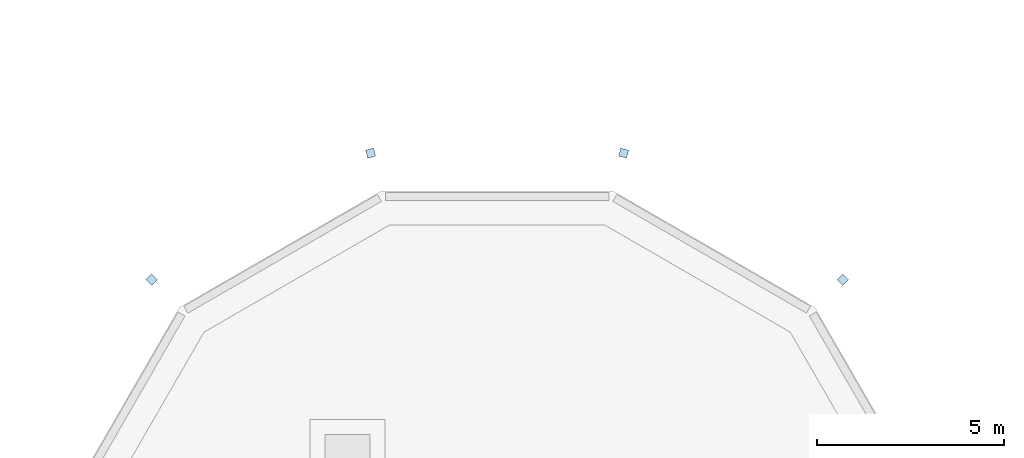
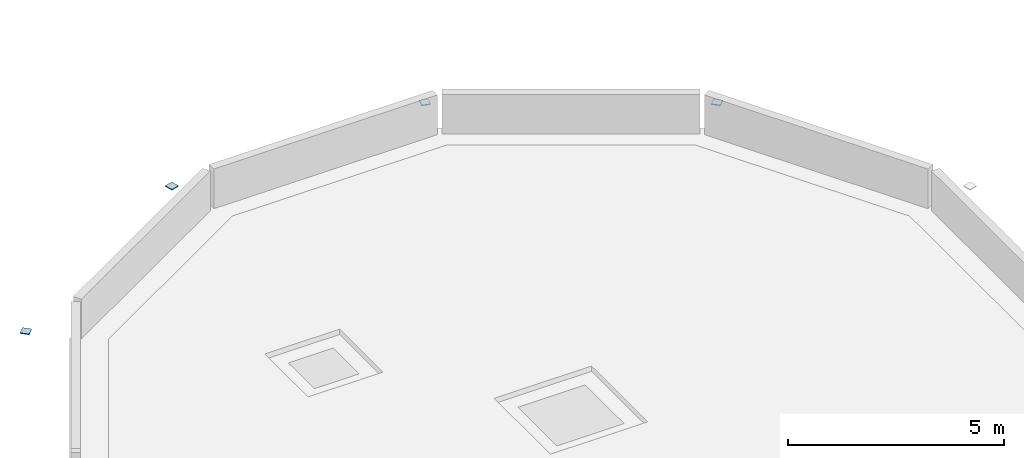
# One storey, part 10 of 18: 4 plates.
"""IFC4 building model written with IfcOpenShell, lengths in metres."""

from ifc_helpers import new_model, si_unit, direction, frame, origin, origin_2d, place, context, subcontext, project, spatial, rectangle, extrude, material, layer, layer_set, type_object, element, save


model = new_model("IFC4")

# Units and contexts
model_context = context("Model", 3, precision=1e-05, world=origin(), true_north=direction((0.0, 1.0)))
body_context = subcontext(model_context, "Body", "Model", "MODEL_VIEW")
ifc_project = project(units=[si_unit("LENGTHUNIT", "METRE"), si_unit("AREAUNIT", "SQUARE_METRE"), si_unit("VOLUMEUNIT", "CUBIC_METRE"), si_unit("PLANEANGLEUNIT", "RADIAN"), si_unit("MASSUNIT", "GRAM", prefix="KILO")], contexts=[model_context])

# Site, building, storey
site_placement = place(None, origin())
site = spatial("IfcSite", under=ifc_project, at=site_placement, CompositionType="ELEMENT")
building_placement = place(site_placement, origin())
building = spatial("IfcBuilding", under=site, at=building_placement, Name="Wrenclough Park School", CompositionType="ELEMENT")
storey_placement = place(building_placement, frame((0.0, 0.0, 20.800048828125)))
storey = spatial("IfcBuildingStorey", under=building, at=storey_placement, Name="L05", CompositionType="ELEMENT", Elevation=20.800048828125)

# Plates
ifc_material = material(Name="Structural steel S355", Category="steel")
ifc_layer = layer(ifc_material, 0.02197265625)
ifc_layer_set = layer_set([ifc_layer], Name="Structural steel S355")
plate_type = type_object("IfcPlateType", Name="STR-PL-EP180", PredefinedType="SHEET", material=ifc_layer_set)
for number, where, z_axis, x_axis, name in (
    (1, (25.727783203125, 98.727783203125, 0.0), (0.0, 0.0, 1.0), (-0.707106781187, 0.707106781187, 0.0), "Hollow steel column top sealing cap plate D3-OUT-02"),
    (2, (19.877685546875, 102.105224609375, 0.0), (0.0, 0.0, 1.0), (-0.965925826289, 0.258819045103, 0.0), "Hollow steel column top sealing cap plate D3-OUT-03"),
    (3, (13.122314453125, 102.105224609375, 0.0), (0.0, 0.0, 1.0), (-0.965925826289, -0.258819045103, 0.0), "Hollow steel column top sealing cap plate D3-OUT-04"),
    (4, (7.272216796875, 98.727783203125, 0.0), (0.0, 0.0, 1.0), (-0.707106781187, -0.707106781187, 0.0), "Hollow steel column top sealing cap plate D3-OUT-05"),
):
    element("IfcPlate", number, at=place(storey_placement, frame(where, z_axis=z_axis, x_axis=x_axis)), inside=storey, type_object=plate_type, Name=name, PredefinedType="SHEET", context=body_context, shape_type="SweptSolid", body=[
        extrude(rectangle(XDim=0.219970703125, YDim=0.219970703125, at=origin_2d()), origin(), (0.0, 0.0, 1.0), 0.02197265625),
    ])

save(model, "model.ifc")
